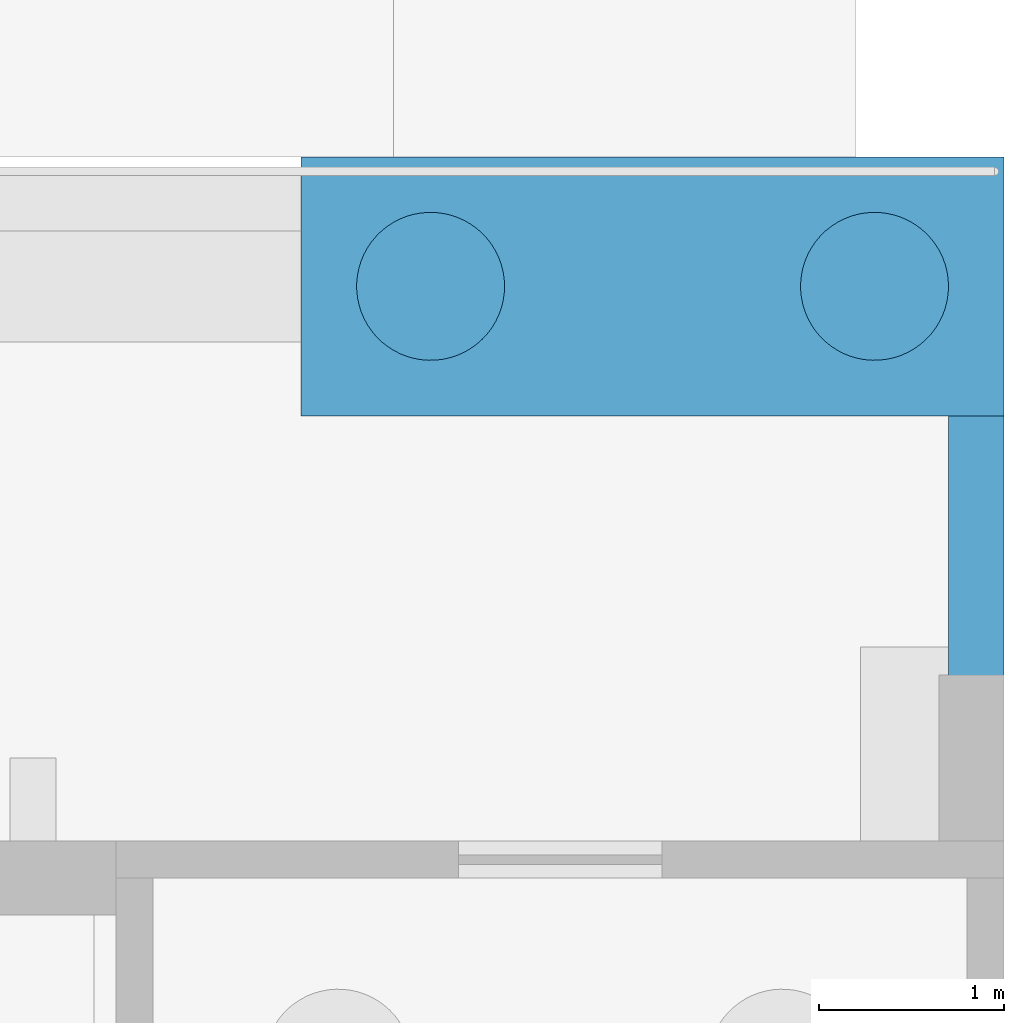
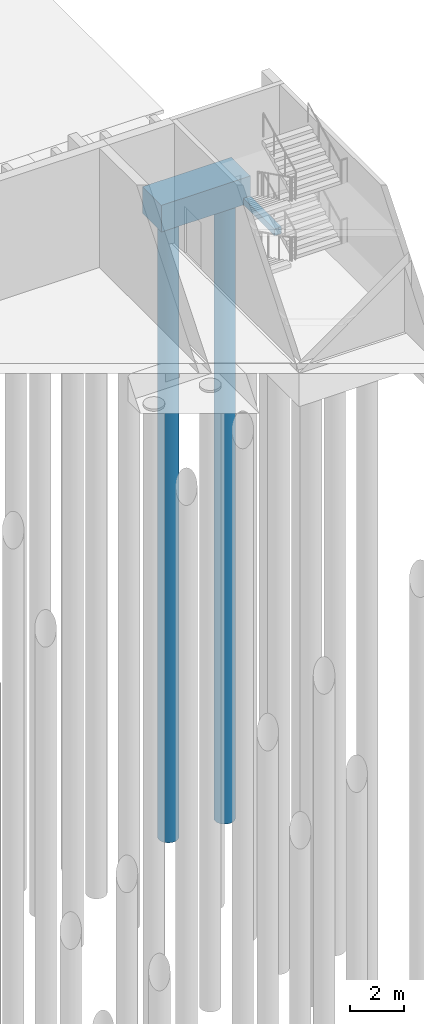
# One storey, part 10 of 129: 2 footings, 2 piles.
"""IFC4 building model written with IfcOpenShell, lengths in metres."""

from ifc_helpers import new_model, si_unit, direction, frame, origin, origin_2d, place, context, subcontext, project, spatial, rectangle, circle, extrude, material, material_profile, profile_set, type_object, element, save


model = new_model("IFC4")

# Units and contexts
model_context = context("Model", 3, precision=1e-05, world=origin(), true_north=direction((0.0, 1.0)))
body_context = subcontext(model_context, "Body", "Model", "MODEL_VIEW")
ifc_project = project(units=[si_unit("LENGTHUNIT", "METRE"), si_unit("AREAUNIT", "SQUARE_METRE"), si_unit("VOLUMEUNIT", "CUBIC_METRE"), si_unit("PLANEANGLEUNIT", "RADIAN"), si_unit("MASSUNIT", "GRAM", prefix="KILO")], contexts=[model_context])

# Site, building, storey
site_placement = place(None, origin())
site = spatial("IfcSite", under=ifc_project, at=site_placement, CompositionType="ELEMENT")
building_placement = place(site_placement, origin())
building = spatial("IfcBuilding", under=site, at=building_placement, Name="Kiln Court Media Centre", CompositionType="ELEMENT")
storey_placement = place(building_placement, origin())
storey = spatial("IfcBuildingStorey", under=building, at=storey_placement, Name="L00", CompositionType="ELEMENT", Elevation=0.0)

# Piles
ifc_material_1 = material(Name="Concrete C30/37", Category="concrete")
ifc_material_profile = material_profile(ifc_material_1, circle(Radius=0.39990234375, at=origin_2d()), Name="PILE D800")
ifc_profile_set = profile_set([ifc_material_profile], Name="Concrete C30/37")
pile_type = type_object("IfcPileType", Name="Concrete C30/37 bored pile D800 cut-off -1.400 toe -29.400", PredefinedType="BORED", material=ifc_profile_set)
for number, where, z_axis, x_axis, name in (
    (1, (164.89990234375, 70.199951171875, -1.39990234375), (0.0, 0.0, -1.0), (1.0, 0.0, 0.0), "L00-PI-1933"),
    (2, (167.300048828125, 70.199951171875, -1.39990234375), (0.0, 0.0, -1.0), (1.0, 0.0, 0.0), "L00-PI-1934"),
):
    element("IfcPile", number, at=place(storey_placement, frame(where, z_axis=z_axis, x_axis=x_axis)), inside=storey, type_object=pile_type, Name=name, PredefinedType="BORED", context=body_context, shape_type="SweptSolid", body=[
        extrude(circle(Radius=0.39990234375, at=origin_2d()), origin(), (0.0, 0.0, 1.0), 28.0),
    ])

# Footings
ifc_material_2 = material(Name="Concrete C30/37", Category="concrete")
footing_type_1 = type_object("IfcFootingType", Name="Concrete C30/37 pile cap 3800x1400x1200", PredefinedType="PILE_CAP", material=ifc_material_2)
footing_1_placement = place(storey_placement, frame((166.099609375, 70.199951171875, -1.5), z_axis=(0.0, 0.0, 1.0), x_axis=(1.0, 0.0, 0.0)))
element("IfcFooting", 3, at=footing_1_placement, inside=storey, type_object=footing_type_1, Name="L00-FT-1227", PredefinedType="PILE_CAP", context=body_context, shape_type="SweptSolid", body=[
    extrude(rectangle(XDim=3.800048828125, YDim=1.39990234375, at=origin_2d()), origin(), (0.0, 0.0, 1.0), 1.199951171875),
])
ifc_material_3 = material(Name="Concrete C30/37", Category="concrete")
footing_type_2 = type_object("IfcFootingType", Name="Concrete C30/37 wall footing 300x300", PredefinedType="STRIP_FOOTING", material=ifc_material_3)
footing_2_placement = place(storey_placement, frame((167.849609375, 68.35009765625, -1.5), z_axis=(0.0, 0.0, 1.0), x_axis=(1.0, 0.0, 0.0)))
element("IfcFooting", 4, at=footing_2_placement, inside=storey, type_object=footing_type_2, Name="L00-FT-1491", PredefinedType="STRIP_FOOTING", context=body_context, shape_type="SweptSolid", body=[
    extrude(rectangle(XDim=0.300048828125, YDim=2.300048828125, at=origin_2d()), origin(), (0.0, 0.0, 1.0), 0.300048828125),
])

save(model, "model.ifc")
